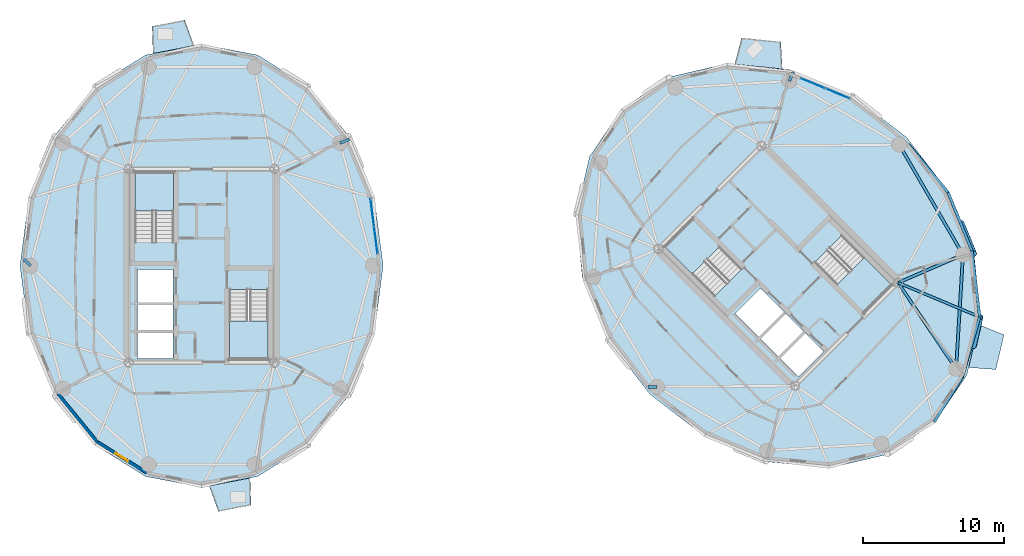
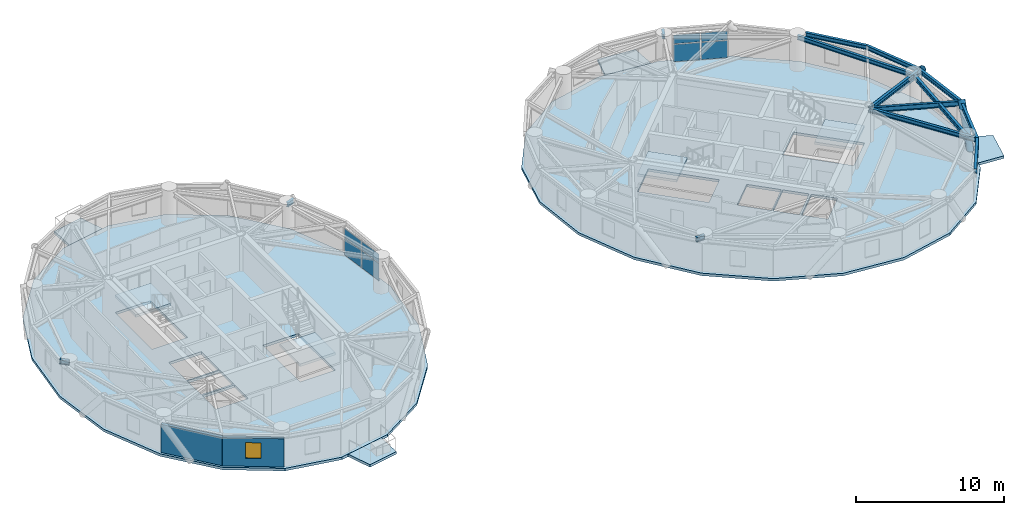
# One storey, part 6 of 16: 14 beams, 10 slabs, 8 plates, 2 members, 2 walls, 1 window, 1 opening, 6 elements without a shape of their own.
"""IFC4 building model written with IfcOpenShell, lengths in metres."""

from ifc_helpers import new_model, si_unit, direction, frame, frame_2d, origin, origin_2d, place, context, subcontext, project, spatial, polyline, rectangle, hollow_circle, i_section, outline, extrude, source, transform, mapped, material, layer, layer_set, material_profile, profile_set, type_object, element, fill, aggregate, save


model = new_model("IFC4")

# Units and contexts
model_context = context("Model", 3, precision=1e-05, world=origin(), true_north=direction((0.0, 1.0)))
body_context = subcontext(model_context, "Body", "Model", "MODEL_VIEW")
ifc_project = project(units=[si_unit("LENGTHUNIT", "METRE"), si_unit("AREAUNIT", "SQUARE_METRE"), si_unit("VOLUMEUNIT", "CUBIC_METRE"), si_unit("PLANEANGLEUNIT", "RADIAN"), si_unit("MASSUNIT", "GRAM", prefix="KILO")], contexts=[model_context])

# Site, building, storey
site_placement = place(None, origin())
site = spatial("IfcSite", under=ifc_project, at=site_placement, CompositionType="ELEMENT")
building_placement = place(site_placement, origin())
building = spatial("IfcBuilding", under=site, at=building_placement, Name="Cununo Teusaquillo Station Towers", CompositionType="ELEMENT")
storey_placement = place(building_placement, frame((0.0, 0.0, 217.030029296875)))
storey = spatial("IfcBuildingStorey", under=building, at=storey_placement, Name="L69", CompositionType="ELEMENT", Elevation=217.030029296875)

# Beams
ifc_material_1 = material(Name="Steel ASTM A572 Grade 50", Category="steel")
ifc_material_profile_1 = material_profile(ifc_material_1, i_section(OverallWidth=0.180908203125, OverallDepth=0.4169921875, WebThickness=0.010986328125, FlangeThickness=0.018310546875, FilletRadius=0.012939453125, at=origin_2d()), Name="W16X57")
ifc_profile_set_1 = profile_set([ifc_material_profile_1], Name="Steel ASTM A572 Grade 50")
beam_type_1 = type_object("IfcBeamType", Name="BM-JOIST-1", PredefinedType="JOIST", material=ifc_profile_set_1)
beam_1_placement = place(storey_placement, frame((66.024169921875, 23.29443359375, 2.491455078125), z_axis=(0.922169338565, -0.386786389381, 0.0), x_axis=(0.386786389381, 0.922169338565, 0.0)))
element("IfcBeam", 1, at=beam_1_placement, inside=storey, type_object=beam_type_1, Name="L69 Tower B Radial Spandrel Joist V17", PredefinedType="JOIST", context=body_context, shape_type="SweptSolid", body=[
    extrude(i_section(OverallWidth=0.180908203125, OverallDepth=0.4169921875, WebThickness=0.010986328125, FlangeThickness=0.018310546875, FilletRadius=0.012939453125, at=origin_2d()), origin(), (0.0, 0.0, 1.0), 6.281005859375),
])
ifc_material_2 = material(Name="Steel ASTM A572 Grade 50", Category="steel")
ifc_material_profile_2 = material_profile(ifc_material_2, i_section(OverallWidth=0.2041015625, OverallDepth=0.35009765625, WebThickness=0.008544921875, FlangeThickness=0.01513671875, FilletRadius=0.011962890625, at=origin_2d()), Name="W14X48")
ifc_profile_set_2 = profile_set([ifc_material_profile_2], Name="Steel ASTM A572 Grade 50")
beam_type_2 = type_object("IfcBeamType", Name="BM-RAD-G3", PredefinedType="BEAM", material=ifc_profile_set_2)
beam_2_placement = place(storey_placement, frame((26.347412109375, 33.228515625, 2.52490234375), z_axis=(0.929761307449, 0.368162886738, 0.0), x_axis=(-0.368162886738, 0.929761307449, 0.0)))
element("IfcBeam", 2, at=beam_2_placement, inside=storey, type_object=beam_type_2, Name="L69 Tower A Perimeter Overhang Girder 02B", PredefinedType="BEAM", context=body_context, shape_type="SweptSolid", body=[
    extrude(i_section(OverallWidth=0.2041015625, OverallDepth=0.35009765625, WebThickness=0.008544921875, FlangeThickness=0.01513671875, FilletRadius=0.011962890625, at=origin_2d()), origin(), (0.0, 0.0, 1.0), 0.691650390625),
])
beam_3_placement = place(storey_placement, frame((4.327880859375, 24.5, 2.52490234375), z_axis=(-0.712904743691, 0.701260883283, 0.0), x_axis=(-0.701260883283, -0.712904743691, 0.0)))
element("IfcBeam", 3, at=beam_3_placement, inside=storey, type_object=beam_type_2, Name="L69 Tower A Perimeter Overhang Girder 06B", PredefinedType="BEAM", context=body_context, shape_type="SweptSolid", body=[
    extrude(i_section(OverallWidth=0.2041015625, OverallDepth=0.35009765625, WebThickness=0.008544921875, FlangeThickness=0.01513671875, FilletRadius=0.011962890625, at=origin_2d()), origin(), (0.0, 0.0, 1.0), 0.64990234375),
])
beam_4_placement = place(storey_placement, frame((58.291015625, 37.63525390625, 2.52490234375), z_axis=(0.397409333503, 0.917641445034, 0.0), x_axis=(-0.917641445034, 0.397409333503, 0.0)))
element("IfcBeam", 4, at=beam_4_placement, inside=storey, type_object=beam_type_2, Name="L69 Tower B Perimeter Overhang Girder 02B", PredefinedType="BEAM", context=body_context, shape_type="SweptSolid", body=[
    extrude(i_section(OverallWidth=0.2041015625, OverallDepth=0.35009765625, WebThickness=0.008544921875, FlangeThickness=0.01513671875, FilletRadius=0.011962890625, at=origin_2d()), origin(), (0.0, 0.0, 1.0), 0.691650390625),
])
beam_5_placement = place(storey_placement, frame((48.89306640625, 15.89306640625, 2.52490234375), z_axis=(-0.999962704276, -0.008636553586, 0.0), x_axis=(0.008636553586, -0.999962704276, 0.0)))
element("IfcBeam", 5, at=beam_5_placement, inside=storey, type_object=beam_type_2, Name="L69 Tower B Perimeter Overhang Girder 06B", PredefinedType="BEAM", context=body_context, shape_type="SweptSolid", body=[
    extrude(i_section(OverallWidth=0.2041015625, OverallDepth=0.35009765625, WebThickness=0.008544921875, FlangeThickness=0.01513671875, FilletRadius=0.011962890625, at=origin_2d()), origin(), (0.0, 0.0, 1.0), 0.650146484375),
])
beam_6_placement = place(storey_placement, frame((66.024169921875, 23.29443359375, 2.52490234375), z_axis=(0.558570844079, -0.829456817529, 0.0), x_axis=(0.829456817529, 0.558570844079, 0.0)))
element("IfcBeam", 6, at=beam_6_placement, inside=storey, type_object=beam_type_2, Name="L69 Tower B Continuous Overhanging Radial Girder 09", PredefinedType="BEAM", context=body_context, shape_type="SweptSolid", body=[
    extrude(i_section(OverallWidth=0.2041015625, OverallDepth=0.35009765625, WebThickness=0.008544921875, FlangeThickness=0.01513671875, FilletRadius=0.011962890625, at=origin_2d()), origin(), (0.0, 0.0, 1.0), 8.1240234375),
])
beam_7_placement = place(storey_placement, frame((66.024169921875, 23.29443359375, 2.52490234375), z_axis=(0.917665176837, 0.397354530893, 0.0), x_axis=(-0.397354530893, 0.917665176837, 0.0)))
element("IfcBeam", 7, at=beam_7_placement, inside=storey, type_object=beam_type_2, Name="L69 Tower B Continuous Overhanging Radial Girder 10", PredefinedType="BEAM", context=body_context, shape_type="SweptSolid", body=[
    extrude(i_section(OverallWidth=0.2041015625, OverallDepth=0.35009765625, WebThickness=0.008544921875, FlangeThickness=0.01513671875, FilletRadius=0.011962890625, at=origin_2d()), origin(), (0.0, 0.0, 1.0), 5.716552734375),
])
ifc_material_3 = material(Name="Steel ASTM A572 Grade 50", Category="steel")
ifc_material_profile_3 = material_profile(ifc_material_3, i_section(OverallWidth=0.2041015625, OverallDepth=0.35009765625, WebThickness=0.008544921875, FlangeThickness=0.01513671875, FilletRadius=0.011962890625, at=origin_2d()), Name="W14X48")
ifc_profile_set_3 = profile_set([ifc_material_profile_3], Name="Steel ASTM A572 Grade 50")
beam_type_3 = type_object("IfcBeamType", Name="BM-RING-Z4", PredefinedType="SPANDREL", material=ifc_profile_set_3)
beam_8_placement = place(storey_placement, frame((70.146240234375, 17.173095703125, 2.52490234375), z_axis=(0.06012979176, 0.998190567048, 0.0), x_axis=(-0.998190567048, 0.06012979176, 0.0)))
element("IfcBeam", 8, at=beam_8_placement, inside=storey, type_object=beam_type_3, Name="L69 Tower B Structural Column Ring Girder 09", PredefinedType="SPANDREL", context=body_context, shape_type="SweptSolid", body=[
    extrude(i_section(OverallWidth=0.2041015625, OverallDepth=0.35009765625, WebThickness=0.008544921875, FlangeThickness=0.01513671875, FilletRadius=0.011962890625, at=origin_2d()), origin(), (0.0, 0.0, 1.0), 8.132568359375),
])
beam_9_placement = place(storey_placement, frame((70.63525390625, 25.291015625, 2.52490234375), z_axis=(-0.501311121078, 0.865267103202, 0.0), x_axis=(-0.865267103202, -0.501311121078, 0.0)))
element("IfcBeam", 9, at=beam_9_placement, inside=storey, type_object=beam_type_3, Name="L69 Tower B Structural Column Ring Girder 10", PredefinedType="SPANDREL", context=body_context, shape_type="SweptSolid", body=[
    extrude(i_section(OverallWidth=0.2041015625, OverallDepth=0.35009765625, WebThickness=0.008544921875, FlangeThickness=0.01513671875, FilletRadius=0.011962890625, at=origin_2d()), origin(), (0.0, 0.0, 1.0), 9.032958984375),
])
beam_10_placement = place(storey_placement, frame((68.594482421875, 13.405517578125, 2.52490234375), z_axis=(0.529715312739, 0.848175505099, 0.0), x_axis=(-0.848175505099, 0.529715312739, 0.0)))
element("IfcBeam", 10, at=beam_10_placement, inside=storey, type_object=beam_type_3, Name="L69 Tower B Spandrel Ring Beam 16", PredefinedType="SPANDREL", context=body_context, shape_type="SweptSolid", body=[
    extrude(i_section(OverallWidth=0.2041015625, OverallDepth=0.35009765625, WebThickness=0.008544921875, FlangeThickness=0.01513671875, FilletRadius=0.011962890625, at=origin_2d()), origin(), (0.0, 0.0, 1.0), 3.71435546875),
])
beam_11_placement = place(storey_placement, frame((70.56201171875, 16.555908203125, 2.52490234375), z_axis=(0.279502797802, 0.96014487762, 0.0), x_axis=(-0.96014487762, 0.279502797802, 0.0)))
element("IfcBeam", 11, at=beam_11_placement, inside=storey, type_object=beam_type_3, Name="L69 Tower B Spandrel Ring Beam 17", PredefinedType="SPANDREL", context=body_context, shape_type="SweptSolid", body=[
    extrude(i_section(OverallWidth=0.2041015625, OverallDepth=0.35009765625, WebThickness=0.008544921875, FlangeThickness=0.01513671875, FilletRadius=0.011962890625, at=origin_2d()), origin(), (0.0, 0.0, 1.0), 4.488037109375),
])
beam_12_placement = place(storey_placement, frame((71.81640625, 20.864990234375, 2.52490234375), z_axis=(-0.115452326356, 0.993313022334, 0.0), x_axis=(-0.993313022334, -0.115452326356, 0.0)))
element("IfcBeam", 12, at=beam_12_placement, inside=storey, type_object=beam_type_3, Name="L69 Tower B Spandrel Ring Beam 18", PredefinedType="SPANDREL", context=body_context, shape_type="SweptSolid", body=[
    extrude(i_section(OverallWidth=0.2041015625, OverallDepth=0.35009765625, WebThickness=0.008544921875, FlangeThickness=0.01513671875, FilletRadius=0.011962890625, at=origin_2d()), origin(), (0.0, 0.0, 1.0), 4.732666015625),
])
beam_13_placement = place(storey_placement, frame((71.27001953125, 25.56591796875, 2.52490234375), z_axis=(-0.379275405388, 0.925283830437, 0.0), x_axis=(-0.925283830437, -0.379275405388, 0.0)))
element("IfcBeam", 13, at=beam_13_placement, inside=storey, type_object=beam_type_3, Name="L69 Tower B Spandrel Ring Beam 19", PredefinedType="SPANDREL", context=body_context, shape_type="SweptSolid", body=[
    extrude(i_section(OverallWidth=0.2041015625, OverallDepth=0.35009765625, WebThickness=0.008544921875, FlangeThickness=0.01513671875, FilletRadius=0.011962890625, at=origin_2d()), origin(), (0.0, 0.0, 1.0), 4.482177734375),
])
beam_14_placement = place(storey_placement, frame((69.570068359375, 29.713134765625, 2.52490234375), z_axis=(-0.637524682095, 0.770429931739, 0.0), x_axis=(-0.770429931739, -0.637524682095, 0.0)))
element("IfcBeam", 14, at=beam_14_placement, inside=storey, type_object=beam_type_3, Name="L69 Tower B Spandrel Ring Beam 20", PredefinedType="SPANDREL", context=body_context, shape_type="SweptSolid", body=[
    extrude(i_section(OverallWidth=0.2041015625, OverallDepth=0.35009765625, WebThickness=0.008544921875, FlangeThickness=0.01513671875, FilletRadius=0.011962890625, at=origin_2d()), origin(), (0.0, 0.0, 1.0), 4.412353515625),
])

# Members
ifc_material_4 = material(Name="Steel EN 10025-2 S355J2", Category="steel")
ifc_material_profile_4 = material_profile(ifc_material_4, hollow_circle(Radius=0.25390625, WallThickness=0.01806640625, at=origin_2d()), Name="CHS 508x18")
ifc_profile_set_4 = profile_set([ifc_material_profile_4], Name="Steel EN 10025-2 S355J2")
member_type = type_object("IfcMemberType", Name="MBR-DIAG-Z4", PredefinedType="BRACE", material=ifc_profile_set_4)
member_1_placement = place(storey_placement, frame((71.337890625, 18.810791015625, -0.14013671875), z_axis=(0.133138350703, 0.571543919802, 0.809698541008), x_axis=(-0.97392481585, 0.226871005356, 0.0)))
element("IfcMember", 15, at=member_1_placement, inside=storey, type_object=member_type, Name="L69 Tower B Folded-Zigzag Diagrid Tube C16", PredefinedType="BRACE", context=body_context, shape_type="SweptSolid", body=[
    extrude(hollow_circle(Radius=0.25390625, WallThickness=0.01806640625, at=origin_2d()), origin(), (0.0, 0.0, 1.0), 3.59423828125),
])
member_2_placement = place(storey_placement, frame((70.47119140625, 27.521484375, -0.14013671875), z_axis=(0.240112894686, -0.583986306041, 0.775439096359), x_axis=(0.924874275738, 0.380273025704, 0.0)))
element("IfcMember", 16, at=member_2_placement, inside=storey, type_object=member_type, Name="L69 Tower B Folded-Zigzag Diagrid Tube C18", PredefinedType="BRACE", context=body_context, shape_type="SweptSolid", body=[
    extrude(hollow_circle(Radius=0.25390625, WallThickness=0.01806640625, at=origin_2d()), origin(), (0.0, 0.0, 1.0), 3.7529296875),
])

# Slabs
ifc_material_5 = material(Name="Concrete C50/60", Category="concrete")
ifc_layer_1 = layer(ifc_material_5, 0.2099609375)
ifc_layer_set_1 = layer_set([ifc_layer_1], Name="Concrete C50/60")
slab_type_1 = type_object("IfcSlabType", Name="SLB-BAL-210", PredefinedType="FLOOR", material=ifc_layer_set_1)
slab_1_placement = place(storey_placement, frame((0.0, 0.0, -0.2099609375)))
element("IfcSlab", 17, at=slab_1_placement, inside=storey, type_object=slab_type_1, Name="L69 Tower A Tree Balcony Slab 1", PredefinedType="FLOOR", context=body_context, shape_type="SweptSolid", body=[
    extrude(outline(polyline([(15.958984375, 40.150634765625), (13.0498046875, 39.58837890625), (12.98095703125, 41.525390625), (15.30126953125, 41.973876953125), (15.958984375, 40.150634765625)])), origin(), (0.0, 0.0, 1.0), 0.2099609375),
])
slab_2_placement = place(storey_placement, frame((0.0, 0.0, -0.2099609375)))
element("IfcSlab", 18, at=slab_2_placement, inside=storey, type_object=slab_type_1, Name="L69 Tower A Tree Balcony Slab 2", PredefinedType="FLOOR", context=body_context, shape_type="SweptSolid", body=[
    extrude(outline(polyline([(17.041015625, 8.849365234375), (19.9501953125, 9.41162109375), (20.01904296875, 7.474609375), (17.69873046875, 7.026123046875), (17.041015625, 8.849365234375)])), origin(), (0.0, 0.0, 1.0), 0.2099609375),
])
slab_3_placement = place(storey_placement, frame((0.0, 0.0, -0.2099609375)))
element("IfcSlab", 19, at=slab_3_placement, inside=storey, type_object=slab_type_1, Name="L69 Tower B Tree Balcony Slab 1", PredefinedType="FLOOR", context=body_context, shape_type="SweptSolid", body=[
    extrude(outline(polyline([(57.79248046875, 38.490478515625), (54.403564453125, 38.826416015625), (54.89111328125, 40.702392578125), (57.6826171875, 40.42578125), (57.79248046875, 38.490478515625)])), origin(), (0.0, 0.0, 1.0), 0.2099609375),
])
slab_4_placement = place(storey_placement, frame((0.0, 0.0, -0.2099609375)))
element("IfcSlab", 20, at=slab_4_placement, inside=storey, type_object=slab_type_1, Name="L69 Tower B Tree Balcony Slab 2", PredefinedType="FLOOR", context=body_context, shape_type="SweptSolid", body=[
    extrude(outline(polyline([(71.04248046875, 17.263671875), (71.755615234375, 20.319091796875), (73.55224609375, 19.591796875), (72.9755859375, 17.12060546875), (71.04248046875, 17.263671875)])), origin(), (0.0, 0.0, 1.0), 0.2099609375),
])

# Stair, slab
ifc_material_6 = material(Name="Concrete C50/60", Category="concrete")
stair_type = type_object("IfcStairType", Name="ST-TWR-1300", PredefinedType="HALF_TURN_STAIR", material=ifc_material_6)
stair_1_placement = place(storey_placement, origin())
stair_1 = element("IfcStair", 21, at=stair_1_placement, inside=storey, type_object=stair_type, Name="L69 Tower A Protected Core Exit Stair 1", PredefinedType="HALF_TURN_STAIR")
ifc_material_7 = material(Name="Concrete C50/60", Category="concrete")
ifc_layer_2 = layer(ifc_material_7, 0.199951171875)
ifc_layer_set_2 = layer_set([ifc_layer_2], Name="Concrete C50/60")
slab_type_2 = type_object("IfcSlabType", Name="SLB-STAIR-LND", PredefinedType="LANDING", material=ifc_layer_set_2)
slab_5_placement = place(storey_placement, frame((0.0, 0.0, 1.2548828125)))
slab_5 = element("IfcSlab", 22, at=slab_5_placement, type_object=slab_type_2, Name="ST-T1-1 landing 1", PredefinedType="LANDING", context=body_context, shape_type="SweptSolid", body=[
    extrude(outline(polyline([(14.52001953125, 28.409912109375), (14.52001953125, 31.159912109375), (11.760009765625, 31.159912109375), (11.760009765625, 28.409912109375), (14.52001953125, 28.409912109375)])), origin(), (0.0, 0.0, 1.0), 0.2001953125),
])
aggregate(stair_1, [slab_5])

stair_2_placement = place(storey_placement, origin())
stair_2 = element("IfcStair", 23, at=stair_2_placement, inside=storey, type_object=stair_type, Name="L69 Tower A Protected Core Exit Stair 2", PredefinedType="HALF_TURN_STAIR")
slab_6_placement = place(storey_placement, frame((0.0, 0.0, 1.2548828125)))
slab_6 = element("IfcSlab", 24, at=slab_6_placement, type_object=slab_type_2, Name="ST-T1-2 landing 1", PredefinedType="LANDING", context=body_context, shape_type="SweptSolid", body=[
    extrude(outline(polyline([(18.47998046875, 20.590087890625), (18.47998046875, 17.840087890625), (21.239990234375, 17.840087890625), (21.239990234375, 20.590087890625), (18.47998046875, 20.590087890625)])), origin(), (0.0, 0.0, 1.0), 0.2001953125),
])
aggregate(stair_2, [slab_6])

stair_3_placement = place(storey_placement, origin())
stair_3 = element("IfcStair", 25, at=stair_3_placement, inside=storey, type_object=stair_type, Name="L69 Tower B Protected Core Exit Stair 1", PredefinedType="HALF_TURN_STAIR")
slab_7_placement = place(storey_placement, frame((0.0, 0.0, 1.2548828125)))
slab_7 = element("IfcSlab", 26, at=slab_7_placement, type_object=slab_type_2, Name="ST-T2-1 landing 1", PredefinedType="LANDING", context=body_context, shape_type="SweptSolid", body=[
    extrude(outline(polyline([(53.335205078125, 25.86474609375), (51.390625, 27.809326171875), (49.43896484375, 25.857666015625), (51.383544921875, 23.9130859375), (53.335205078125, 25.86474609375)])), origin(), (0.0, 0.0, 1.0), 0.2001953125),
])
aggregate(stair_3, [slab_7])

stair_4_placement = place(storey_placement, origin())
stair_4 = element("IfcStair", 27, at=stair_4_placement, inside=storey, type_object=stair_type, Name="L69 Tower B Protected Core Exit Stair 2", PredefinedType="HALF_TURN_STAIR")
slab_8_placement = place(storey_placement, frame((0.0, 0.0, 1.2548828125)))
slab_8 = element("IfcSlab", 28, at=slab_8_placement, type_object=slab_type_2, Name="ST-T2-2 landing 1", PredefinedType="LANDING", context=body_context, shape_type="SweptSolid", body=[
    extrude(outline(polyline([(61.664794921875, 23.13525390625), (63.609375, 21.190673828125), (65.56103515625, 23.142333984375), (63.616455078125, 25.0869140625), (61.664794921875, 23.13525390625)])), origin(), (0.0, 0.0, 1.0), 0.2001953125),
])
aggregate(stair_4, [slab_8])

# Slabs
ifc_material_8 = material(Name="Concrete C40/50", Category="concrete")
ifc_layer_3 = layer(ifc_material_8, 0.2099609375)
ifc_layer_set_3 = layer_set([ifc_layer_3], Name="Concrete C40/50")
slab_type_3 = type_object("IfcSlabType", Name="SLB-Z4-200", PredefinedType="FLOOR", material=ifc_layer_set_3)
slab_9_placement = place(storey_placement, frame((0.0, 0.0, -0.2099609375)))
element("IfcSlab", 29, at=slab_9_placement, inside=storey, type_object=slab_type_3, Name="L69 Tower A Floor Slab", PredefinedType="FLOOR", context=body_context, shape_type="SweptSolid", body=[
    extrude(outline(polyline([(29.409912109375, 24.5), (28.778076171875, 29.366943359375), (26.9443359375, 33.757568359375), (24.08837890625, 37.241943359375), (20.489501953125, 39.47900390625), (16.5, 40.25), (12.510498046875, 39.47900390625), (8.91162109375, 37.241943359375), (6.0556640625, 33.757568359375), (4.221923828125, 29.366943359375), (3.590087890625, 24.5), (4.221923828125, 19.633056640625), (6.0556640625, 15.242431640625), (8.91162109375, 11.758056640625), (12.510498046875, 9.52099609375), (16.5, 8.75), (20.489501953125, 9.52099609375), (24.08837890625, 11.758056640625), (26.9443359375, 15.242431640625), (28.778076171875, 19.633056640625), (29.409912109375, 24.5)]), holes=[polyline([(14.52001953125, 26.176025390625), (14.52001953125, 31.159912109375), (11.760009765625, 31.159912109375), (11.760009765625, 26.176025390625), (14.52001953125, 26.176025390625)]), polyline([(18.47998046875, 22.823974609375), (18.47998046875, 17.840087890625), (21.239990234375, 17.840087890625), (21.239990234375, 22.823974609375), (18.47998046875, 22.823974609375)]), polyline([(11.949951171875, 21.85009765625), (14.47998046875, 21.85009765625), (14.47998046875, 24.25), (11.949951171875, 24.25), (11.949951171875, 21.85009765625)]), polyline([(11.949951171875, 17.89990234375), (14.47998046875, 17.89990234375), (14.47998046875, 19.75), (11.949951171875, 19.75), (11.949951171875, 17.89990234375)]), polyline([(11.949951171875, 19.89990234375), (14.47998046875, 19.89990234375), (14.47998046875, 21.75), (11.949951171875, 21.75), (11.949951171875, 19.89990234375)])]), origin(), (0.0, 0.0, 1.0), 0.2099609375),
])
slab_10_placement = place(storey_placement, frame((0.0, 0.0, -0.2099609375)))
element("IfcSlab", 30, at=slab_10_placement, inside=storey, type_object=slab_type_3, Name="L69 Tower B Floor Slab", PredefinedType="FLOOR", context=body_context, shape_type="SweptSolid", body=[
    extrude(outline(polyline([(66.628662109375, 33.628662109375), (62.740478515625, 36.623291015625), (58.339111328125, 38.431396484375), (53.855712890625, 38.875732421875), (49.72900390625, 37.912841796875), (46.363037109375, 35.636962890625), (44.087158203125, 32.27099609375), (43.124267578125, 28.144287109375), (43.568603515625, 23.660888671875), (45.376708984375, 19.259521484375), (48.371337890625, 15.371337890625), (52.259521484375, 12.376708984375), (56.660888671875, 10.568603515625), (61.144287109375, 10.124267578125), (65.27099609375, 11.087158203125), (68.636962890625, 13.363037109375), (70.912841796875, 16.72900390625), (71.875732421875, 20.855712890625), (71.431396484375, 25.339111328125), (69.623291015625, 29.740478515625), (66.628662109375, 33.628662109375)]), holes=[polyline([(54.914794921875, 24.28515625), (51.390625, 27.809326171875), (49.43896484375, 25.857666015625), (52.963134765625, 22.33349609375), (54.914794921875, 24.28515625)]), polyline([(60.085205078125, 24.71484375), (63.609375, 21.190673828125), (65.56103515625, 23.142333984375), (62.036865234375, 26.66650390625), (60.085205078125, 24.71484375)]), polyline([(56.156494140625, 19.40869140625), (57.945556640625, 21.19775390625), (56.248291015625, 22.89501953125), (54.45947265625, 21.10595703125), (56.156494140625, 19.40869140625)]), polyline([(58.94970703125, 16.61572265625), (60.738525390625, 18.40478515625), (59.430419921875, 19.712890625), (57.641357421875, 17.923828125), (58.94970703125, 16.61572265625)]), polyline([(57.535400390625, 18.030029296875), (59.32421875, 19.819091796875), (58.01611328125, 21.127197265625), (56.227294921875, 19.338134765625), (57.535400390625, 18.030029296875)])]), origin(), (0.0, 0.0, 1.0), 0.2099609375),
])

# Curtain wall, plates
ifc_material_9 = material(Name="Ceramic-fritted dark low-E double glazing", Category="glass")
ifc_layer_4 = layer(ifc_material_9, 0.179931640625)
ifc_layer_set_4 = layer_set([ifc_layer_4], Name="Ceramic-fritted dark low-E double glazing")
curtain_wall_type = type_object("IfcCurtainWallType", Name="CW-SYS-07", PredefinedType="USERDEFINED", material=ifc_layer_set_4)
curtain_wall_1_placement = place(storey_placement, origin())
curtain_wall_1 = element("IfcCurtainWall", 31, at=curtain_wall_1_placement, inside=storey, type_object=curtain_wall_type, Name="L69 Tower A Facade Curtain Wall C00", ObjectType="FRITTED GLAZING", PredefinedType="USERDEFINED")
ifc_material_10 = material(Name="Ceramic-fritted dark low-E double glazing", Category="glass")
ifc_layer_5 = layer(ifc_material_10, 0.028076171875)
ifc_layer_set_5 = layer_set([ifc_layer_5], Name="Ceramic-fritted dark low-E double glazing")
plate_type = type_object("IfcPlateType", Name="CWP-FRIT-28", PredefinedType="CURTAIN_PANEL", material=ifc_layer_set_5)
shared_shape_1 = source(origin(), body_context, "Body", "SweptSolid", [
    extrude(rectangle(XDim=1.8876953125, YDim=0.028076171875, at=origin_2d()), origin(), (0.0, 0.0, 1.0), 1.41162109375),
])
plate_1_placement = place(storey_placement, frame((28.64111328125, 28.280029296875, 0.06494140625), z_axis=(0.0, 0.0, 1.0), x_axis=(0.12825264413, -0.991741528461, 0.0)))
plate_1 = element("IfcPlate", 32, at=plate_1_placement, type_object=plate_type, Name="CW-07 panel 1.1", PredefinedType="CURTAIN_PANEL", context=body_context, shape_type="MappedRepresentation", body=[
    mapped(shared_shape_1, transform((0.0, 0.0, 0.0), x_axis=(1.0, 0.0, 0.0), y_axis=(0.0, 1.0, 0.0), z_axis=(0.0, 0.0, 1.0), scale=1.0)),
])
plate_2_placement = place(storey_placement, frame((28.8916015625, 26.343505859375, 0.06494140625), z_axis=(0.0, 0.0, 1.0), x_axis=(0.12825264413, -0.991741528461, 0.0)))
plate_2 = element("IfcPlate", 33, at=plate_2_placement, type_object=plate_type, Name="CW-07 panel 2.1", PredefinedType="CURTAIN_PANEL", context=body_context, shape_type="MappedRepresentation", body=[
    mapped(shared_shape_1, transform((0.0, 0.0, 0.0), x_axis=(1.0, 0.0, 0.0), y_axis=(0.0, 1.0, 0.0), z_axis=(0.0, 0.0, 1.0), scale=1.0)),
])
shared_shape_2 = source(origin(), body_context, "Body", "SweptSolid", [
    extrude(rectangle(XDim=1.8876953125, YDim=0.028076171875, at=origin_2d()), origin(), (0.0, 0.0, 1.0), 0.715576171875),
])
plate_3_placement = place(storey_placement, frame((28.64111328125, 28.280029296875, 1.54150390625), z_axis=(0.0, 0.0, 1.0), x_axis=(0.12825264413, -0.991741528461, 0.0)))
plate_3 = element("IfcPlate", 34, at=plate_3_placement, type_object=plate_type, Name="CW-07 panel 1.2", PredefinedType="CURTAIN_PANEL", context=body_context, shape_type="MappedRepresentation", body=[
    mapped(shared_shape_2, transform((0.0, 0.0, 0.0), x_axis=(1.0, 0.0, 0.0), y_axis=(0.0, 1.0, 0.0), z_axis=(0.0, 0.0, 1.0), scale=1.0)),
])
plate_4_placement = place(storey_placement, frame((28.8916015625, 26.343505859375, 1.54150390625), z_axis=(0.0, 0.0, 1.0), x_axis=(0.12825264413, -0.991741528461, 0.0)))
plate_4 = element("IfcPlate", 35, at=plate_4_placement, type_object=plate_type, Name="CW-07 panel 2.2", PredefinedType="CURTAIN_PANEL", context=body_context, shape_type="MappedRepresentation", body=[
    mapped(shared_shape_2, transform((0.0, 0.0, 0.0), x_axis=(1.0, 0.0, 0.0), y_axis=(0.0, 1.0, 0.0), z_axis=(0.0, 0.0, 1.0), scale=1.0)),
])
aggregate(curtain_wall_1, [plate_1, plate_3, plate_2, plate_4])

curtain_wall_2_placement = place(storey_placement, origin())
curtain_wall_2 = element("IfcCurtainWall", 36, at=curtain_wall_2_placement, inside=storey, type_object=curtain_wall_type, Name="L69 Tower B Facade Curtain Wall C01", ObjectType="FRITTED GLAZING", PredefinedType="USERDEFINED")
shared_shape_3 = source(origin(), body_context, "Body", "SweptSolid", [
    extrude(rectangle(XDim=1.81298828125, YDim=0.028076171875, at=origin_2d()), origin(), (0.0, 0.0, 1.0), 1.41162109375),
])
plate_5_placement = place(storey_placement, frame((59.979248046875, 37.46044921875, 0.06494140625), z_axis=(0.0, 0.0, 1.0), x_axis=(0.924447019904, -0.381310513086, 0.0)))
plate_5 = element("IfcPlate", 37, at=plate_5_placement, type_object=plate_type, Name="CW-07 panel 1.1", PredefinedType="CURTAIN_PANEL", context=body_context, shape_type="MappedRepresentation", body=[
    mapped(shared_shape_3, transform((0.0, 0.0, 0.0), x_axis=(1.0, 0.0, 0.0), y_axis=(0.0, 1.0, 0.0), z_axis=(0.0, 0.0, 1.0), scale=1.0)),
])
plate_6_placement = place(storey_placement, frame((61.71533203125, 36.744384765625, 0.06494140625), z_axis=(0.0, 0.0, 1.0), x_axis=(0.924447019904, -0.381310513086, 0.0)))
plate_6 = element("IfcPlate", 38, at=plate_6_placement, type_object=plate_type, Name="CW-07 panel 2.1", PredefinedType="CURTAIN_PANEL", context=body_context, shape_type="MappedRepresentation", body=[
    mapped(shared_shape_3, transform((0.0, 0.0, 0.0), x_axis=(1.0, 0.0, 0.0), y_axis=(0.0, 1.0, 0.0), z_axis=(0.0, 0.0, 1.0), scale=1.0)),
])
shared_shape_4 = source(origin(), body_context, "Body", "SweptSolid", [
    extrude(rectangle(XDim=1.81298828125, YDim=0.028076171875, at=origin_2d()), origin(), (0.0, 0.0, 1.0), 0.715576171875),
])
plate_7_placement = place(storey_placement, frame((59.979248046875, 37.46044921875, 1.54150390625), z_axis=(0.0, 0.0, 1.0), x_axis=(0.924447019904, -0.381310513086, 0.0)))
plate_7 = element("IfcPlate", 39, at=plate_7_placement, type_object=plate_type, Name="CW-07 panel 1.2", PredefinedType="CURTAIN_PANEL", context=body_context, shape_type="MappedRepresentation", body=[
    mapped(shared_shape_4, transform((0.0, 0.0, 0.0), x_axis=(1.0, 0.0, 0.0), y_axis=(0.0, 1.0, 0.0), z_axis=(0.0, 0.0, 1.0), scale=1.0)),
])
plate_8_placement = place(storey_placement, frame((61.71533203125, 36.744384765625, 1.54150390625), z_axis=(0.0, 0.0, 1.0), x_axis=(0.924447019904, -0.381310513086, 0.0)))
plate_8 = element("IfcPlate", 40, at=plate_8_placement, type_object=plate_type, Name="CW-07 panel 2.2", PredefinedType="CURTAIN_PANEL", context=body_context, shape_type="MappedRepresentation", body=[
    mapped(shared_shape_4, transform((0.0, 0.0, 0.0), x_axis=(1.0, 0.0, 0.0), y_axis=(0.0, 1.0, 0.0), z_axis=(0.0, 0.0, 1.0), scale=1.0)),
])
aggregate(curtain_wall_2, [plate_5, plate_7, plate_6, plate_8])

# Wall
ifc_material_11 = material(Name="Precast concrete C40/50", Category="concrete")
ifc_layer_6 = layer(ifc_material_11, 0.219970703125)
ifc_layer_set_6 = layer_set([ifc_layer_6], Name="Precast concrete C40/50")
wall_type = type_object("IfcWallType", Name="WL-EXT-220", PredefinedType="SOLIDWALL", material=ifc_layer_set_6)
wall_1_placement = place(storey_placement, frame((9.076416015625, 11.984619140625, 0.0), z_axis=(0.0, 0.0, 1.0), x_axis=(-0.632467166636, 0.774587169483, 0.0)))
element("IfcWall", 41, at=wall_1_placement, inside=storey, type_object=wall_type, Name="L69 Tower A Exterior Facade Wall C12", PredefinedType="SOLIDWALL", context=body_context, shape_type="SweptSolid", body=[
    extrude(rectangle(XDim=4.418212890625, YDim=0.219970703125, at=frame_2d((2.208984375, 0.0))), origin(), (0.0, 0.0, 1.0), 2.322021484375),
])

# Wall, opening, window
wall_2_placement = place(storey_placement, frame((12.59716796875, 9.787109375, 0.0), z_axis=(0.0, 0.0, 1.0), x_axis=(-0.848318713376, 0.529485939886, 0.0)))
wall_2 = element("IfcWall", 42, at=wall_2_placement, inside=storey, type_object=wall_type, Name="L69 Tower A Exterior Facade Wall C13", PredefinedType="SOLIDWALL", context=body_context, shape_type="SweptSolid", body=[
    extrude(rectangle(XDim=4.150390625, YDim=0.219970703125, at=frame_2d((2.0751953125, 0.0))), origin(), (0.0, 0.0, 1.0), 2.322021484375),
])
shared_shape_5 = source(origin(), body_context, "Body", "SweptSolid", [
    extrude(rectangle(XDim=1.050048828125, YDim=1.300048828125, at=frame_2d((0.52490234375, 0.64990234375))), frame((0.0, 0.119873046875, 0.0), z_axis=(0.0, -1.0, 0.0), x_axis=(1.0, 0.0, 0.0)), (0.0, 0.0, 1.0), 0.239990234375),
])
opening_placement = place(wall_2_placement, frame((1.550048828125, 0.0, 0.64990234375)))
opening = element("IfcOpeningElement", 43, at=opening_placement, cuts=wall_2, Name="Opening WN-04", PredefinedType="OPENING", context=body_context, shape_type="MappedRepresentation", body=[
    mapped(shared_shape_5, transform((0.0, 0.0, 0.0), x_axis=(1.0, 0.0, 0.0), y_axis=(0.0, 1.0, 0.0), z_axis=(0.0, 0.0, 1.0), scale=1.0)),
])
ifc_material_12 = material(Name="Operable acoustic tinted low-E double glazing", Category="glass")
window_type = type_object("IfcWindowType", Name="WIN-BAL-1050", PartitioningType="SINGLE_PANEL", PredefinedType="WINDOW", material=ifc_material_12)
shared_shape_6 = source(origin(), body_context, "Body", "SweptSolid", [
    extrude(rectangle(XDim=1.050048828125, YDim=1.300048828125, at=frame_2d((0.52490234375, 0.64990234375))), frame((0.0, 0.030029296875, 0.0), z_axis=(0.0, -1.0, 0.0), x_axis=(1.0, 0.0, 0.0)), (0.0, 0.0, 1.0), 0.06005859375),
])
window_placement = place(opening_placement, origin())
window = element("IfcWindow", 44, at=window_placement, inside=storey, type_object=window_type, Name="L69 Tower A Facade Window C13", OverallHeight=1.300048828125, OverallWidth=1.050048828125, PartitioningType="SINGLE_PANEL", PredefinedType="WINDOW", context=body_context, shape_type="MappedRepresentation", body=[
    mapped(shared_shape_6, transform((0.0, 0.0, 0.0), x_axis=(1.0, 0.0, 0.0), y_axis=(0.0, 1.0, 0.0), z_axis=(0.0, 0.0, 1.0), scale=1.0)),
])
fill(opening, window)

save(model, "model.ifc")
